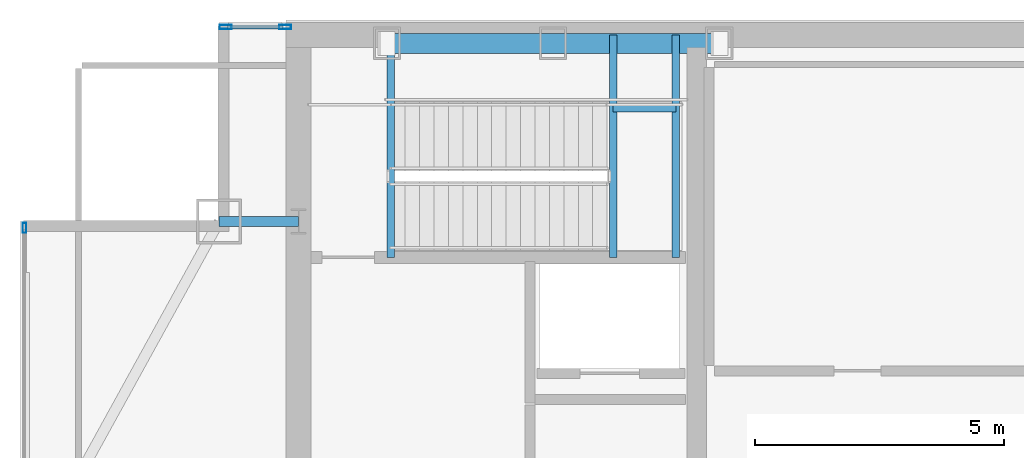
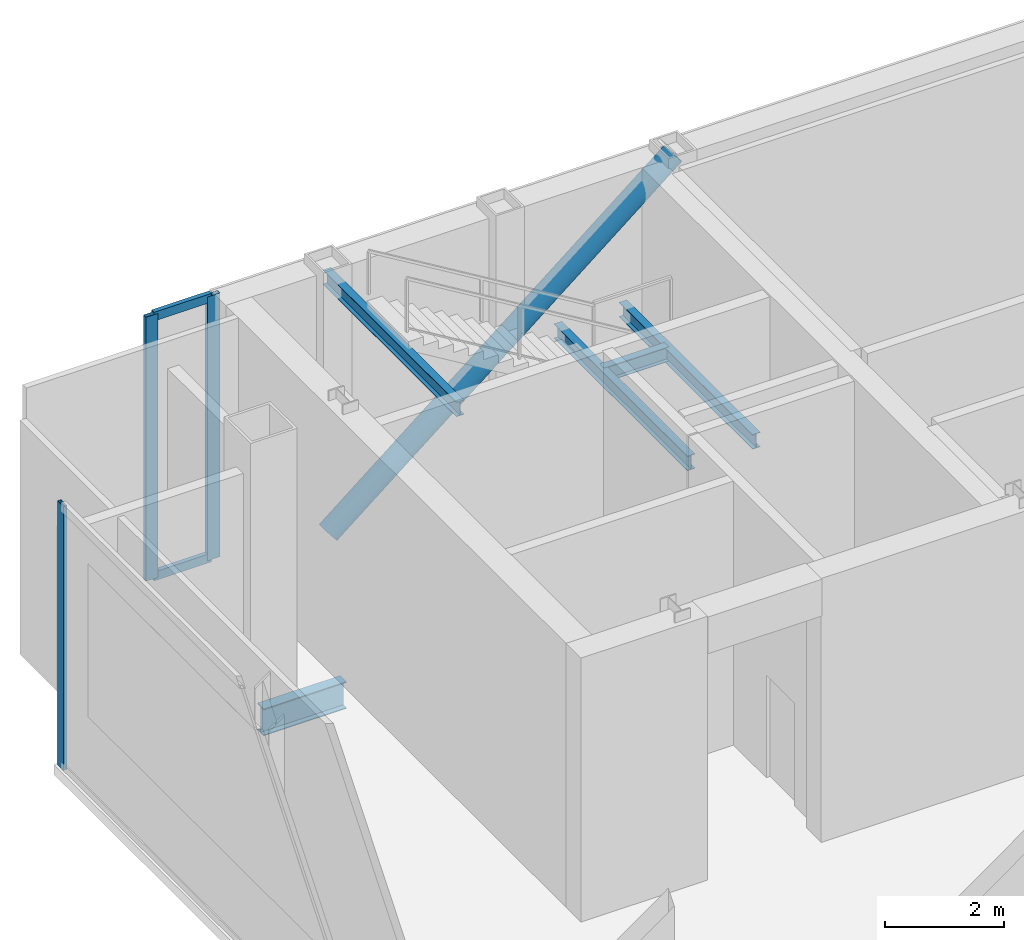
# One storey, part 16 of 22: 6 members, 5 beams, 2 elements without a shape of their own.
"""IFC4 building model written with IfcOpenShell, lengths in metres."""

from ifc_helpers import new_model, si_unit, direction, frame, origin, origin_2d, place, context, subcontext, project, spatial, hollow_rectangle, hollow_circle, i_section, extrude, material, material_profile, profile_set, type_object, element, aggregate, save


model = new_model("IFC4")

# Units and contexts
model_context = context("Model", 3, precision=1e-05, world=origin(), true_north=direction((0.0, 1.0)))
body_context = subcontext(model_context, "Body", "Model", "MODEL_VIEW")
ifc_project = project(units=[si_unit("LENGTHUNIT", "METRE"), si_unit("AREAUNIT", "SQUARE_METRE"), si_unit("VOLUMEUNIT", "CUBIC_METRE"), si_unit("PLANEANGLEUNIT", "RADIAN"), si_unit("MASSUNIT", "GRAM", prefix="KILO")], contexts=[model_context])

# Site, building, storey
site_placement = place(None, origin())
site = spatial("IfcSite", under=ifc_project, at=site_placement, CompositionType="ELEMENT")
building_placement = place(site_placement, origin())
building = spatial("IfcBuilding", under=site, at=building_placement, Name="Khoronbel Lancet Exchange", CompositionType="ELEMENT")
storey_placement = place(building_placement, frame((0.0, 0.0, 367.39990234375)))
storey = spatial("IfcBuildingStorey", under=building, at=storey_placement, Name="L94", CompositionType="ELEMENT", Elevation=367.39990234375)

# Beams
ifc_material_1 = material(Name="Steel S355", Category="steel")
ifc_material_profile_1 = material_profile(ifc_material_1, i_section(OverallWidth=0.14990234375, OverallDepth=0.300048828125, WebThickness=0.007080078125, FlangeThickness=0.0107421875, at=origin_2d()), Name="IPE 300")
ifc_profile_set_1 = profile_set([ifc_material_profile_1], Name="Steel S355")
beam_type_1 = type_object("IfcBeamType", Name="BM-BJ8", PredefinedType="JOIST", material=ifc_profile_set_1)
for number, where, z_axis, x_axis, name in (
    (1, (22.77001953125, 48.97998046875, 2.4501953125), (0.0, 1.0, 0.0), (-1.0, 0.0, 0.0), "Level L94 stair ST1 landing bearer beam 1"),
    (2, (24.030029296875, 48.97998046875, 2.4501953125), (0.0, 1.0, 0.0), (-1.0, 0.0, 0.0), "Level L94 stair ST1 rear landing bearer beam 1"),
):
    element("IfcBeam", number, at=place(storey_placement, frame(where, z_axis=z_axis, x_axis=x_axis)), inside=storey, type_object=beam_type_1, Name=name, PredefinedType="JOIST", context=body_context, shape_type="SweptSolid", body=[
        extrude(i_section(OverallWidth=0.14990234375, OverallDepth=0.300048828125, WebThickness=0.007080078125, FlangeThickness=0.0107421875, at=origin_2d()), origin(), (0.0, 0.0, 1.0), 4.469970703125),
    ])
beam_1_placement = place(storey_placement, frame((22.77001953125, 51.97998046875, 2.4501953125), z_axis=(1.0, 0.0, 0.0), x_axis=(0.0, 1.0, 0.0)))
element("IfcBeam", 3, at=beam_1_placement, inside=storey, type_object=beam_type_1, Name="Level L94 stair ST1 landing cross trimmer beam 1", PredefinedType="JOIST", context=body_context, shape_type="SweptSolid", body=[
    extrude(i_section(OverallWidth=0.14990234375, OverallDepth=0.300048828125, WebThickness=0.007080078125, FlangeThickness=0.0107421875, at=origin_2d()), origin(), (0.0, 0.0, 1.0), 1.260009765625),
])
beam_2_placement = place(storey_placement, frame((18.300048828125, 48.97998046875, 5.1201171875), z_axis=(0.0, 1.0, 0.0), x_axis=(-1.0, 0.0, 0.0)))
element("IfcBeam", 4, at=beam_2_placement, inside=storey, type_object=beam_type_1, Name="Level L94 stair ST1 upper-flight arrival trimmer beam", PredefinedType="JOIST", context=body_context, shape_type="SweptSolid", body=[
    extrude(i_section(OverallWidth=0.14990234375, OverallDepth=0.300048828125, WebThickness=0.007080078125, FlangeThickness=0.0107421875, at=origin_2d()), origin(), (0.0, 0.0, 1.0), 4.469970703125),
])
ifc_material_profile_2 = material_profile(ifc_material_1, i_section(OverallWidth=0.2099609375, OverallDepth=0.550048828125, WebThickness=0.010986328125, FlangeThickness=0.01708984375, at=origin_2d()), Name="IPE 550")
ifc_profile_set_2 = profile_set([ifc_material_profile_2], Name="Steel S355")
beam_type_2 = type_object("IfcBeamType", Name="BM-BSP3", PredefinedType="SPANDREL", material=ifc_profile_set_2)
beam_3_placement = place(storey_placement, frame((14.85009765625, 49.699951171875, -0.474853515625), z_axis=(1.0, 0.0, 0.0), x_axis=(0.0, 1.0, 0.0)))
element("IfcBeam", 5, at=beam_3_placement, inside=storey, type_object=beam_type_2, Name="Level L94 north flank tie spandrel SP20", PredefinedType="SPANDREL", context=body_context, shape_type="SweptSolid", body=[
    extrude(i_section(OverallWidth=0.2099609375, OverallDepth=0.550048828125, WebThickness=0.010986328125, FlangeThickness=0.01708984375, at=origin_2d()), origin(), (0.0, 0.0, 1.0), 1.599853515625),
])

# Curtain wall, members
ifc_material_2 = material(Name="Low-E Solar Control Insulating Glass", Category="glass")
curtain_wall_type = type_object("IfcCurtainWallType", Name="CW-6", PredefinedType="NOTDEFINED", material=ifc_material_2)
curtain_wall_1_placement = place(storey_placement, origin())
curtain_wall_1 = element("IfcCurtainWall", 6, at=curtain_wall_1_placement, inside=storey, type_object=curtain_wall_type, Name="Unitised curtain wall CW-L94-NWFLK", PredefinedType="NOTDEFINED")
ifc_material_3 = material(Name="Bronze-Anodised Aluminium 6063-T6", Category="aluminium")
ifc_material_profile_3 = material_profile(ifc_material_3, hollow_rectangle(XDim=0.0849609375, YDim=0.239990234375, WallThickness=0.006103515625, at=origin_2d()), Name="ALU MULLION 85x240")
ifc_profile_set_3 = profile_set([ifc_material_profile_3], Name="Bronze-Anodised Aluminium 6063-T6")
member_type_1 = type_object("IfcMemberType", Name="MEM-CWM1", PredefinedType="MULLION", material=ifc_profile_set_3)
member_1_placement = place(storey_placement, frame((16.177490234375, 53.610107421875, 0.0), z_axis=(0.0, 0.0, 1.0), x_axis=(0.0, -1.0, 0.0)))
member_1 = element("IfcMember", 7, at=member_1_placement, type_object=member_type_1, Name="CW6 mullion 1", PredefinedType="MULLION", context=body_context, shape_type="SweptSolid", body=[
    extrude(hollow_rectangle(XDim=0.0849609375, YDim=0.239990234375, WallThickness=0.006103515625, at=origin_2d()), origin(), (0.0, 0.0, 1.0), 5.400146484375),
])
member_2_placement = place(storey_placement, frame((14.982421875, 53.610107421875, 0.0), z_axis=(0.0, 0.0, 1.0), x_axis=(0.0, -1.0, 0.0)))
member_2 = element("IfcMember", 8, at=member_2_placement, type_object=member_type_1, Name="CW6 mullion 2", PredefinedType="MULLION", context=body_context, shape_type="SweptSolid", body=[
    extrude(hollow_rectangle(XDim=0.0849609375, YDim=0.239990234375, WallThickness=0.006103515625, at=origin_2d()), origin(), (0.0, 0.0, 1.0), 5.400146484375),
])

# Curtain wall, member
curtain_wall_2_placement = place(storey_placement, origin())
curtain_wall_2 = element("IfcCurtainWall", 9, at=curtain_wall_2_placement, inside=storey, type_object=curtain_wall_type, Name="Unitised curtain wall CW-L94-E03", PredefinedType="NOTDEFINED")
ifc_material_profile_4 = material_profile(ifc_material_3, hollow_rectangle(XDim=0.074951171875, YDim=0.199951171875, WallThickness=0.0048828125, at=origin_2d()), Name="ALU MULLION 75x200")
ifc_profile_set_4 = profile_set([ifc_material_profile_4], Name="Bronze-Anodised Aluminium 6063-T6")
member_type_2 = type_object("IfcMemberType", Name="MEM-CWM2", PredefinedType="MULLION", material=ifc_profile_set_4)
member_3_placement = place(storey_placement, frame((10.93994140625, 49.572509765625, 0.0), z_axis=(0.0, 0.0, 1.0), x_axis=(-1.0, 0.0, 0.0)))
member_3 = element("IfcMember", 10, at=member_3_placement, type_object=member_type_2, Name="CW6 mullion 3", PredefinedType="MULLION", context=body_context, shape_type="SweptSolid", body=[
    extrude(hollow_rectangle(XDim=0.074951171875, YDim=0.199951171875, WallThickness=0.0048828125, at=origin_2d()), origin(), (0.0, 0.0, 1.0), 5.400146484375),
])
aggregate(curtain_wall_2, [member_3])

# Member
ifc_material_profile_5 = material_profile(ifc_material_3, hollow_rectangle(XDim=0.0849609375, YDim=0.179931640625, WallThickness=0.0048828125, at=origin_2d()), Name="ALU TRANSOM 85x180")
ifc_profile_set_5 = profile_set([ifc_material_profile_5], Name="Bronze-Anodised Aluminium 6063-T6")
member_type_3 = type_object("IfcMemberType", Name="MEM-CWT1", PredefinedType="USERDEFINED", material=ifc_profile_set_5)
member_4_placement = place(storey_placement, frame((16.135009765625, 53.610107421875, 0.04248046875), z_axis=(-1.0, 0.0, 0.0), x_axis=(0.0, -1.0, 0.0)))
member_4 = element("IfcMember", 11, at=member_4_placement, type_object=member_type_3, Name="CW6 transom 1.1", ObjectType="TRANSOM", PredefinedType="USERDEFINED", context=body_context, shape_type="SweptSolid", body=[
    extrude(hollow_rectangle(XDim=0.0849609375, YDim=0.179931640625, WallThickness=0.0048828125, at=origin_2d()), origin(), (0.0, 0.0, 1.0), 1.110107421875),
])

member_5_placement = place(storey_placement, frame((16.135009765625, 53.610107421875, 5.357666015625), z_axis=(-1.0, 0.0, 0.0), x_axis=(0.0, -1.0, 0.0)))
member_5 = element("IfcMember", 12, at=member_5_placement, type_object=member_type_3, Name="CW6 transom 1.2", ObjectType="TRANSOM", PredefinedType="USERDEFINED", context=body_context, shape_type="SweptSolid", body=[
    extrude(hollow_rectangle(XDim=0.0849609375, YDim=0.179931640625, WallThickness=0.0048828125, at=origin_2d()), origin(), (0.0, 0.0, 1.0), 1.110107421875),
])

aggregate(curtain_wall_1, [member_1, member_2, member_4, member_5])

ifc_material_profile_6 = material_profile(ifc_material_1, hollow_circle(Radius=0.203125, WallThickness=0.02001953125, at=origin_2d()), Name="CHS 406.4x20")
ifc_profile_set_6 = profile_set([ifc_material_profile_6], Name="Steel S355")
member_type_4 = type_object("IfcMemberType", Name="MEM-STR2", PredefinedType="STRUT", material=ifc_profile_set_6)
member_6_placement = place(storey_placement, frame((18.22509765625, 53.280029296875, 0.0), z_axis=(0.776291147856, 0.0, 0.630374534512), x_axis=(0.0, 1.0, 0.0)))
element("IfcMember", 13, at=member_6_placement, inside=storey, type_object=member_type_4, Name="CROWN FRAME diagonal ring brace L94-N1", PredefinedType="STRUT", context=body_context, shape_type="SweptSolid", body=[
    extrude(hollow_circle(Radius=0.203125, WallThickness=0.02001953125, at=origin_2d()), origin(), (0.0, 0.0, 1.0), 8.598388671875),
])

save(model, "model.ifc")
